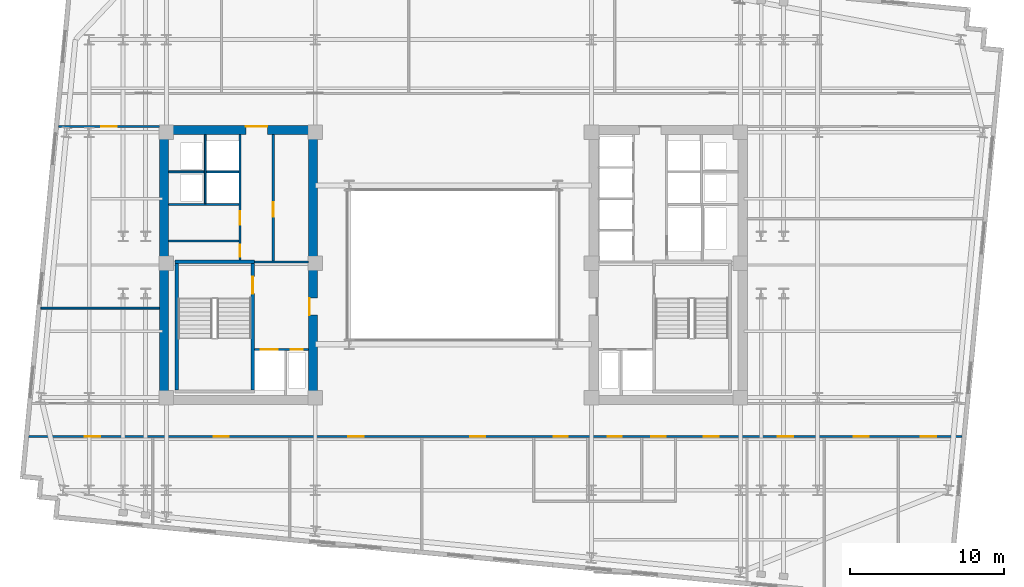
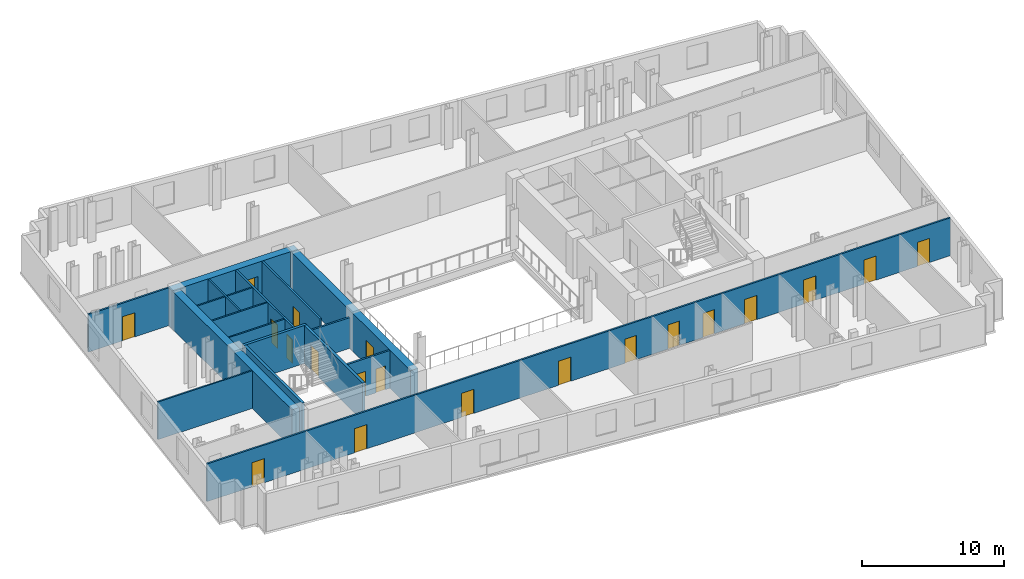
# One storey, part 4 of 9: 20 doors, 18 walls, 20 openings.
"""IFC4 building model written with IfcOpenShell, lengths in metres."""

from ifc_helpers import new_model, si_unit, direction, frame, frame_2d, origin, place, context, subcontext, project, spatial, rectangle, extrude, material, layer, layer_set, type_object, element, fill, save


model = new_model("IFC4")

# Units and contexts
model_context = context("Model", 3, precision=1e-05, world=origin(), true_north=direction((0.0, 1.0)))
body_context = subcontext(model_context, "Body", "Model", "MODEL_VIEW")
ifc_project = project(units=[si_unit("LENGTHUNIT", "METRE"), si_unit("AREAUNIT", "SQUARE_METRE"), si_unit("VOLUMEUNIT", "CUBIC_METRE"), si_unit("PLANEANGLEUNIT", "RADIAN"), si_unit("MASSUNIT", "GRAM", prefix="KILO")], contexts=[model_context])

# Site, building, storey
site_placement = place(None, origin())
site = spatial("IfcSite", under=ifc_project, at=site_placement, CompositionType="ELEMENT")
building_placement = place(site_placement, origin())
building = spatial("IfcBuilding", under=site, at=building_placement, Name="Velakula Bourse", CompositionType="ELEMENT")
storey_placement = place(building_placement, frame((0.0, 0.0, 177.64990234375)))
storey = spatial("IfcBuildingStorey", under=building, at=storey_placement, Name="L48", CompositionType="ELEMENT", Elevation=177.64990234375)

# Wall, opening, door
ifc_material_1 = material(Name="Concrete M50 (fck 50 MPa)", Category="concrete")
ifc_layer_1 = layer(ifc_material_1, 0.2099609375, Name="Concrete M50 (fck 50 MPa)", Category="concrete")
ifc_layer_set_1 = layer_set([ifc_layer_1], Name="Concrete M50 (fck 50 MPa)")
wall_type_1 = type_object("IfcWallType", Name="WL-CORE-210", PredefinedType="SHEAR", material=ifc_layer_set_1)
wall_1_placement = place(storey_placement, frame((-12.9951171875, -8.10009765625, 0.0), z_axis=(0.0, 0.0, 1.0), x_axis=(0.0, 1.0, 0.0)))
wall_1 = element("IfcWall", 1, at=wall_1_placement, inside=storey, type_object=wall_type_1, Name="L48 Core W Stairwell Shear Wall IN", PredefinedType="SHEAR", context=body_context, shape_type="SweptSolid", body=[
    extrude(rectangle(XDim=8.2001953125, YDim=0.2099609375, at=frame_2d((4.10009765625, 0.0))), origin(), (0.0, 0.0, 1.0), 3.27001953125),
])
opening_1_placement = place(wall_1_placement, frame((6.25, 0.0, 0.0)))
opening_1 = element("IfcOpeningElement", 2, at=opening_1_placement, cuts=wall_1, Name="Opening D-STW1", PredefinedType="OPENING", context=body_context, shape_type="SweptSolid", body=[
    extrude(rectangle(XDim=1.10009765625, YDim=2.14990234375, at=frame_2d((0.550048828125, 1.074951171875))), frame((0.0, 0.114990234375, 0.0), z_axis=(0.0, -1.0, 0.0), x_axis=(1.0, 0.0, 0.0)), (0.0, 0.0, 1.0), 0.22998046875),
])
ifc_material_2 = material(Name="Galvanised painted hollow steel fire door", Category="steel")
door_type_1 = type_object("IfcDoorType", Name="DR-FD120-1100x2150", OperationType="NOTDEFINED", PredefinedType="DOOR", material=ifc_material_2)
door_1_placement = place(opening_1_placement, origin())
door_1 = element("IfcDoor", 3, at=door_1_placement, inside=storey, type_object=door_type_1, Name="L48 Stair ST-W1 Fire Door", OperationType="SINGLE_SWING_LEFT", OverallHeight=2.14990234375, OverallWidth=1.10009765625, PredefinedType="DOOR", context=body_context, shape_type="SweptSolid", body=[
    extrude(rectangle(XDim=1.10009765625, YDim=2.14990234375, at=frame_2d((0.550048828125, 1.074951171875))), frame((0.0, 0.02490234375, 0.0), z_axis=(0.0, -1.0, 0.0), x_axis=(1.0, 0.0, 0.0)), (0.0, 0.0, 1.0), 0.050048828125),
])
fill(opening_1, door_1)

# Walls
wall_2_placement = place(storey_placement, frame((-17.925048828125, -8.10009765625, 0.0), z_axis=(0.0, 0.0, 1.0), x_axis=(0.0, 1.0, 0.0)))
element("IfcWall", 4, at=wall_2_placement, inside=storey, type_object=wall_type_1, Name="L48 Core W Stairwell Shear Wall OUT", PredefinedType="SHEAR", context=body_context, shape_type="SweptSolid", body=[
    extrude(rectangle(XDim=8.2001953125, YDim=0.2099609375, at=frame_2d((4.10009765625, 0.0))), origin(), (0.0, 0.0, 1.0), 3.27001953125),
])
wall_3_placement = place(storey_placement, frame((-12.889892578125, 0.205078125, 0.0), z_axis=(0.0, 0.0, 1.0), x_axis=(-1.0, 0.0, 0.0)))
element("IfcWall", 5, at=wall_3_placement, inside=storey, type_object=wall_type_1, Name="L48 Core W Stairwell Shear Wall N", PredefinedType="SHEAR", context=body_context, shape_type="SweptSolid", body=[
    extrude(rectangle(XDim=5.14013671875, YDim=0.2099609375, at=frame_2d((2.570068359375, 0.0))), origin(), (0.0, 0.0, 1.0), 3.27001953125),
])

# Wall, opening, door
ifc_material_3 = material(Name="Concrete M70 (fck 70 MPa)", Category="concrete")
ifc_layer_2 = layer(ifc_material_3, 0.60009765625, Name="Concrete M70 (fck 70 MPa)", Category="concrete")
ifc_layer_set_2 = layer_set([ifc_layer_2], Name="Concrete M70 (fck 70 MPa)")
wall_type_2 = type_object("IfcWallType", Name="WL-CORE-600", PredefinedType="SHEAR", material=ifc_layer_set_2)
wall_4_placement = place(storey_placement, frame((-19.050048828125, 8.75, 0.0), z_axis=(0.0, 0.0, 1.0), x_axis=(1.0, 0.0, 0.0)))
wall_4 = element("IfcWall", 6, at=wall_4_placement, inside=storey, type_object=wall_type_2, Name="L48 Core W Shear Wall N", PredefinedType="SHEAR", context=body_context, shape_type="SweptSolid", body=[
    extrude(rectangle(XDim=10.25, YDim=0.60009765625, at=frame_2d((5.125, 0.0))), origin(), (0.0, 0.0, 1.0), 3.27001953125),
])
opening_2_placement = place(wall_4_placement, frame((5.60009765625, 0.0, 0.0)))
opening_2 = element("IfcOpeningElement", 7, at=opening_2_placement, cuts=wall_4, Name="Opening D-LLW", PredefinedType="OPENING", context=body_context, shape_type="SweptSolid", body=[
    extrude(rectangle(XDim=1.39990234375, YDim=2.050048828125, at=frame_2d((0.699951171875, 1.02490234375))), frame((0.0, 0.31005859375, 0.0), z_axis=(0.0, -1.0, 0.0), x_axis=(1.0, 0.0, 0.0)), (0.0, 0.0, 1.0), 0.6201171875),
])
ifc_material_4 = material(Name="Fire-rated hardwood flush architectural door", Category="wood")
door_type_2 = type_object("IfcDoorType", Name="DR-DBL-FD60-1400", OperationType="DOUBLE_DOOR_SINGLE_SWING", PredefinedType="DOOR", material=ifc_material_4)
door_2_placement = place(opening_2_placement, origin())
door_2 = element("IfcDoor", 8, at=door_2_placement, inside=storey, type_object=door_type_2, Name="L48 Core W Lift Lobby Corridor Double Door", OperationType="DOUBLE_DOOR_SINGLE_SWING", OverallHeight=2.050048828125, OverallWidth=1.39990234375, PredefinedType="DOOR", context=body_context, shape_type="SweptSolid", body=[
    extrude(rectangle(XDim=1.39990234375, YDim=2.050048828125, at=frame_2d((0.699951171875, 1.02490234375))), frame((0.0, 0.2451171875, 0.0), z_axis=(0.0, -1.0, 0.0), x_axis=(1.0, 0.0, 0.0)), (0.0, 0.0, 1.0), 0.050048828125),
])
fill(opening_2, door_2)

# Wall
wall_5_placement = place(storey_placement, frame((-18.75, -8.449951171875, 0.0), z_axis=(0.0, 0.0, 1.0), x_axis=(0.0, 1.0, 0.0)))
element("IfcWall", 9, at=wall_5_placement, inside=storey, type_object=wall_type_2, Name="L48 Core W Shear Wall W", PredefinedType="SHEAR", context=body_context, shape_type="SweptSolid", body=[
    extrude(rectangle(XDim=16.89990234375, YDim=0.60009765625, at=frame_2d((8.449951171875, 0.0))), origin(), (0.0, 0.0, 1.0), 3.27001953125),
])

# Wall, opening, door
wall_6_placement = place(storey_placement, frame((-9.10009765625, -8.449951171875, 0.0), z_axis=(0.0, 0.0, 1.0), x_axis=(0.0, 1.0, 0.0)))
wall_6 = element("IfcWall", 10, at=wall_6_placement, inside=storey, type_object=wall_type_2, Name="L48 Core W Shear Wall E", PredefinedType="SHEAR", context=body_context, shape_type="SweptSolid", body=[
    extrude(rectangle(XDim=16.89990234375, YDim=0.60009765625, at=frame_2d((8.449951171875, 0.0))), origin(), (0.0, 0.0, 1.0), 3.27001953125),
])
opening_3_placement = place(wall_6_placement, frame((5.199951171875, 0.0, 0.0)))
opening_3 = element("IfcOpeningElement", 11, at=opening_3_placement, cuts=wall_6, Name="Opening D-FLW", PredefinedType="OPENING", context=body_context, shape_type="SweptSolid", body=[
    extrude(rectangle(XDim=1.10009765625, YDim=2.080078125, at=frame_2d((0.550048828125, 1.0400390625))), frame((0.0, 0.31005859375, 0.0), z_axis=(0.0, -1.0, 0.0), x_axis=(1.0, 0.0, 0.0)), (0.0, 0.0, 1.0), 0.6201171875),
])
door_type_3 = type_object("IfcDoorType", Name="DR-FD120-1100", OperationType="NOTDEFINED", PredefinedType="DOOR", material=ifc_material_2)
door_3_placement = place(opening_3_placement, origin())
door_3 = element("IfcDoor", 12, at=door_3_placement, inside=storey, type_object=door_type_3, Name="L48 Firefighting Lobby W Corridor Fire Door", OperationType="SINGLE_SWING_LEFT", OverallHeight=2.080078125, OverallWidth=1.10009765625, PredefinedType="DOOR", context=body_context, shape_type="SweptSolid", body=[
    extrude(rectangle(XDim=1.10009765625, YDim=2.080078125, at=frame_2d((0.550048828125, 1.0400390625))), frame((0.0, 0.2548828125, 0.0), z_axis=(0.0, -1.0, 0.0), x_axis=(1.0, 0.0, 0.0)), (0.0, 0.0, 1.0), 0.050048828125),
])
fill(opening_3, door_3)

# Walls
ifc_material_5 = material(Name="Fire-rated double-layer gypsum drywall partition", Category="gypsum")
ifc_layer_3 = layer(ifc_material_5, 0.1201171875, Name="Fire-rated double-layer gypsum drywall partition", Category="gypsum")
ifc_layer_set_3 = layer_set([ifc_layer_3], Name="Fire-rated double-layer gypsum drywall partition")
wall_type_3 = type_object("IfcWallType", Name="WL-PART-120", PredefinedType="STANDARD", material=ifc_layer_set_3)
wall_7_placement = place(storey_placement, frame((-18.449951171875, 3.919921875, 0.0), z_axis=(0.0, 0.0, 1.0), x_axis=(1.0, 0.0, 0.0)))
element("IfcWall", 13, at=wall_7_placement, inside=storey, type_object=wall_type_3, Name="L48 Interior Partition WL-CRW-L48-HI-S", PredefinedType="STANDARD", context=body_context, shape_type="SweptSolid", body=[
    extrude(rectangle(XDim=4.550048828125, YDim=0.1201171875, at=frame_2d((2.27490234375, 0.0))), origin(), (0.0, 0.0, 1.0), 3.25),
])
wall_8_placement = place(storey_placement, frame((-18.449951171875, 6.030029296875, 0.0), z_axis=(0.0, 0.0, 1.0), x_axis=(1.0, 0.0, 0.0)))
element("IfcWall", 14, at=wall_8_placement, inside=storey, type_object=wall_type_3, Name="L48 Interior Partition WL-CRW-L48-RIS-MID", PredefinedType="STANDARD", context=body_context, shape_type="SweptSolid", body=[
    extrude(rectangle(XDim=2.300048828125, YDim=0.1201171875, at=frame_2d((1.14990234375, 0.0))), origin(), (0.0, 0.0, 1.0), 3.25),
])
wall_9_placement = place(storey_placement, frame((-16.074951171875, 3.97998046875, 0.0), z_axis=(0.0, 0.0, 1.0), x_axis=(0.0, 1.0, 0.0)))
element("IfcWall", 15, at=wall_9_placement, inside=storey, type_object=wall_type_3, Name="L48 Interior Partition WL-CRW-L48-RIS-F", PredefinedType="STANDARD", context=body_context, shape_type="SweptSolid", body=[
    extrude(rectangle(XDim=4.469970703125, YDim=0.1201171875, at=frame_2d((2.23486328125, 0.0))), origin(), (0.0, 0.0, 1.0), 3.25),
])
wall_10_placement = place(storey_placement, frame((-16.0, 6.030029296875, 0.0), z_axis=(0.0, 0.0, 1.0), x_axis=(1.0, 0.0, 0.0)))
element("IfcWall", 16, at=wall_10_placement, inside=storey, type_object=wall_type_3, Name="L48 Interior Partition WL-CRW-L48-HI-DIV", PredefinedType="STANDARD", context=body_context, shape_type="SweptSolid", body=[
    extrude(rectangle(XDim=2.10009765625, YDim=0.1201171875, at=frame_2d((1.050048828125, 0.0))), origin(), (0.0, 0.0, 1.0), 3.25),
])
wall_11_placement = place(storey_placement, frame((-18.449951171875, 1.550048828125, 0.0), z_axis=(0.0, 0.0, 1.0), x_axis=(1.0, 0.0, 0.0)))
element("IfcWall", 17, at=wall_11_placement, inside=storey, type_object=wall_type_3, Name="L48 Interior Partition WL-CRW-L48-K1", PredefinedType="STANDARD", context=body_context, shape_type="SweptSolid", body=[
    extrude(rectangle(XDim=4.550048828125, YDim=0.1201171875, at=frame_2d((2.27490234375, 0.0))), origin(), (0.0, 0.0, 1.0), 3.25),
])
wall_12_placement = place(storey_placement, frame((-26.738525390625, -2.800048828125, 0.0), z_axis=(0.0, 0.0, 1.0), x_axis=(1.0, 0.0, 0.0)))
element("IfcWall", 18, at=wall_12_placement, inside=storey, type_object=wall_type_3, Name="L48 Interior Partition WL-INT-L48-W-H", PredefinedType="STANDARD", context=body_context, shape_type="SweptSolid", body=[
    extrude(rectangle(XDim=7.6884765625, YDim=0.1201171875, at=frame_2d((3.84423828125, 0.0))), origin(), (0.0, 0.0, 1.0), 3.25),
])

# Wall, openings, doors
ifc_layer_4 = layer(ifc_material_5, 0.139892578125, Name="Fire-rated double-layer gypsum drywall partition", Category="gypsum")
ifc_layer_set_4 = layer_set([ifc_layer_4], Name="Fire-rated double-layer gypsum drywall partition")
wall_type_4 = type_object("IfcWallType", Name="WL-PART-140", PredefinedType="STANDARD", material=ifc_layer_set_4)
wall_13_placement = place(storey_placement, frame((-27.539794921875, -11.1201171875, 0.0), z_axis=(0.0, 0.0, 1.0), x_axis=(1.0, 0.0, 0.0)))
wall_13 = element("IfcWall", 19, at=wall_13_placement, inside=storey, type_object=wall_type_4, Name="L48 Interior Partition WL-INT-L48-S-CORR", PredefinedType="STANDARD", context=body_context, shape_type="SweptSolid", body=[
    extrude(rectangle(XDim=60.518798828125, YDim=0.139892578125, at=frame_2d((30.25927734375, 0.0))), origin(), (0.0, 0.0, 1.0), 3.25),
])
opening_4_placement = place(wall_13_placement, frame((34.02978515625, 0.0, 0.0)))
opening_4 = element("IfcOpeningElement", 20, at=opening_4_placement, cuts=wall_13, Name="Opening D-WT1", PredefinedType="OPENING", context=body_context, shape_type="SweptSolid", body=[
    extrude(rectangle(XDim=0.919921875, YDim=2.080078125, at=frame_2d((0.4599609375, 1.0400390625))), frame((0.0, 0.079833984375, 0.0), z_axis=(0.0, -1.0, 0.0), x_axis=(1.0, 0.0, 0.0)), (0.0, 0.0, 1.0), 0.159912109375),
])
opening_5_placement = place(wall_13_placement, frame((37.52978515625, 0.0, 0.0)))
opening_5 = element("IfcOpeningElement", 21, at=opening_5_placement, cuts=wall_13, Name="Opening D-WT1", PredefinedType="OPENING", context=body_context, shape_type="SweptSolid", body=[
    extrude(rectangle(XDim=0.919921875, YDim=2.080078125, at=frame_2d((0.4599609375, 1.0400390625))), frame((0.0, 0.079833984375, 0.0), z_axis=(0.0, -1.0, 0.0), x_axis=(1.0, 0.0, 0.0)), (0.0, 0.0, 1.0), 0.159912109375),
])
opening_6_placement = place(wall_13_placement, frame((40.379638671875, 0.0, 0.0)))
opening_6 = element("IfcOpeningElement", 22, at=opening_6_placement, cuts=wall_13, Name="Opening D-WC1", PredefinedType="OPENING", context=body_context, shape_type="SweptSolid", body=[
    extrude(rectangle(XDim=0.919921875, YDim=2.080078125, at=frame_2d((0.4599609375, 1.0400390625))), frame((0.0, 0.079833984375, 0.0), z_axis=(0.0, -1.0, 0.0), x_axis=(1.0, 0.0, 0.0)), (0.0, 0.0, 1.0), 0.159912109375),
])
opening_7_placement = place(wall_13_placement, frame((3.6533203125, 0.0, 0.0)))
opening_7 = element("IfcOpeningElement", 23, at=opening_7_placement, cuts=wall_13, Name="Opening D-OF1", PredefinedType="OPENING", context=body_context, shape_type="SweptSolid", body=[
    extrude(rectangle(XDim=1.0, YDim=2.080078125, at=frame_2d((0.5, 1.0400390625))), frame((0.0, 0.079833984375, 0.0), z_axis=(0.0, -1.0, 0.0), x_axis=(1.0, 0.0, 0.0)), (0.0, 0.0, 1.0), 0.159912109375),
])
opening_8_placement = place(wall_13_placement, frame((11.997802734375, 0.0, 0.0)))
opening_8 = element("IfcOpeningElement", 24, at=opening_8_placement, cuts=wall_13, Name="Opening D-OF1", PredefinedType="OPENING", context=body_context, shape_type="SweptSolid", body=[
    extrude(rectangle(XDim=1.0, YDim=2.080078125, at=frame_2d((0.5, 1.0400390625))), frame((0.0, 0.079833984375, 0.0), z_axis=(0.0, -1.0, 0.0), x_axis=(1.0, 0.0, 0.0)), (0.0, 0.0, 1.0), 0.159912109375),
])
opening_9_placement = place(wall_13_placement, frame((20.7197265625, 0.0, 0.0)))
opening_9 = element("IfcOpeningElement", 25, at=opening_9_placement, cuts=wall_13, Name="Opening D-OF1", PredefinedType="OPENING", context=body_context, shape_type="SweptSolid", body=[
    extrude(rectangle(XDim=1.0, YDim=2.080078125, at=frame_2d((0.5, 1.0400390625))), frame((0.0, 0.079833984375, 0.0), z_axis=(0.0, -1.0, 0.0), x_axis=(1.0, 0.0, 0.0)), (0.0, 0.0, 1.0), 0.159912109375),
])
opening_10_placement = place(wall_13_placement, frame((28.619140625, 0.0, 0.0)))
opening_10 = element("IfcOpeningElement", 26, at=opening_10_placement, cuts=wall_13, Name="Opening D-OF1", PredefinedType="OPENING", context=body_context, shape_type="SweptSolid", body=[
    extrude(rectangle(XDim=1.0, YDim=2.080078125, at=frame_2d((0.5, 1.0400390625))), frame((0.0, 0.079833984375, 0.0), z_axis=(0.0, -1.0, 0.0), x_axis=(1.0, 0.0, 0.0)), (0.0, 0.0, 1.0), 0.159912109375),
])
opening_11_placement = place(wall_13_placement, frame((43.753662109375, 0.0, 0.0)))
opening_11 = element("IfcOpeningElement", 27, at=opening_11_placement, cuts=wall_13, Name="Opening D-OF1", PredefinedType="OPENING", context=body_context, shape_type="SweptSolid", body=[
    extrude(rectangle(XDim=1.0, YDim=2.080078125, at=frame_2d((0.5, 1.0400390625))), frame((0.0, 0.079833984375, 0.0), z_axis=(0.0, -1.0, 0.0), x_axis=(1.0, 0.0, 0.0)), (0.0, 0.0, 1.0), 0.159912109375),
])
opening_12_placement = place(wall_13_placement, frame((48.566650390625, 0.0, 0.0)))
opening_12 = element("IfcOpeningElement", 28, at=opening_12_placement, cuts=wall_13, Name="Opening D-OF1", PredefinedType="OPENING", context=body_context, shape_type="SweptSolid", body=[
    extrude(rectangle(XDim=1.0, YDim=2.080078125, at=frame_2d((0.5, 1.0400390625))), frame((0.0, 0.079833984375, 0.0), z_axis=(0.0, -1.0, 0.0), x_axis=(1.0, 0.0, 0.0)), (0.0, 0.0, 1.0), 0.159912109375),
])
opening_13_placement = place(wall_13_placement, frame((53.47216796875, 0.0, 0.0)))
opening_13 = element("IfcOpeningElement", 29, at=opening_13_placement, cuts=wall_13, Name="Opening D-OF1", PredefinedType="OPENING", context=body_context, shape_type="SweptSolid", body=[
    extrude(rectangle(XDim=1.0, YDim=2.080078125, at=frame_2d((0.5, 1.0400390625))), frame((0.0, 0.079833984375, 0.0), z_axis=(0.0, -1.0, 0.0), x_axis=(1.0, 0.0, 0.0)), (0.0, 0.0, 1.0), 0.159912109375),
])
opening_14_placement = place(wall_13_placement, frame((57.822509765625, 0.0, 0.0)))
opening_14 = element("IfcOpeningElement", 30, at=opening_14_placement, cuts=wall_13, Name="Opening D-OF1", PredefinedType="OPENING", context=body_context, shape_type="SweptSolid", body=[
    extrude(rectangle(XDim=1.0, YDim=2.080078125, at=frame_2d((0.5, 1.0400390625))), frame((0.0, 0.079833984375, 0.0), z_axis=(0.0, -1.0, 0.0), x_axis=(1.0, 0.0, 0.0)), (0.0, 0.0, 1.0), 0.159912109375),
])
door_type_4 = type_object("IfcDoorType", Name="DR-OFF-1000", OperationType="NOTDEFINED", PredefinedType="DOOR", material=ifc_material_4)
door_4_placement = place(opening_7_placement, origin())
door_4 = element("IfcDoor", 31, at=door_4_placement, inside=storey, type_object=door_type_4, Name="L48 Quiet Financial Library Door", OperationType="SINGLE_SWING_LEFT", OverallHeight=2.080078125, OverallWidth=1.0, PredefinedType="DOOR", context=body_context, shape_type="SweptSolid", body=[
    extrude(rectangle(XDim=1.0, YDim=2.080078125, at=frame_2d((0.5, 1.0400390625))), frame((0.0, 0.02490234375, 0.0), z_axis=(0.0, -1.0, 0.0), x_axis=(1.0, 0.0, 0.0)), (0.0, 0.0, 1.0), 0.050048828125),
])
fill(opening_7, door_4)
door_5_placement = place(opening_8_placement, origin())
door_5 = element("IfcDoor", 32, at=door_5_placement, inside=storey, type_object=door_type_4, Name="L48 Company Secretary Office Door", OperationType="SINGLE_SWING_RIGHT", OverallHeight=2.080078125, OverallWidth=1.0, PredefinedType="DOOR", context=body_context, shape_type="SweptSolid", body=[
    extrude(rectangle(XDim=1.0, YDim=2.080078125, at=frame_2d((0.5, 1.0400390625))), frame((0.0, 0.02490234375, 0.0), z_axis=(0.0, -1.0, 0.0), x_axis=(1.0, 0.0, 0.0)), (0.0, 0.0, 1.0), 0.050048828125),
])
fill(opening_8, door_5)
door_6_placement = place(opening_9_placement, origin())
door_6 = element("IfcDoor", 33, at=door_6_placement, inside=storey, type_object=door_type_4, Name="L48 Risk Review Boardroom Door", OperationType="SINGLE_SWING_LEFT", OverallHeight=2.080078125, OverallWidth=1.0, PredefinedType="DOOR", context=body_context, shape_type="SweptSolid", body=[
    extrude(rectangle(XDim=1.0, YDim=2.080078125, at=frame_2d((0.5, 1.0400390625))), frame((0.0, 0.02490234375, 0.0), z_axis=(0.0, -1.0, 0.0), x_axis=(1.0, 0.0, 0.0)), (0.0, 0.0, 1.0), 0.050048828125),
])
fill(opening_9, door_6)
door_7_placement = place(opening_10_placement, origin())
door_7 = element("IfcDoor", 34, at=door_7_placement, inside=storey, type_object=door_type_4, Name="L48 Catering Servery Pantry Door", OperationType="SINGLE_SWING_RIGHT", OverallHeight=2.080078125, OverallWidth=1.0, PredefinedType="DOOR", context=body_context, shape_type="SweptSolid", body=[
    extrude(rectangle(XDim=1.0, YDim=2.080078125, at=frame_2d((0.5, 1.0400390625))), frame((0.0, 0.02490234375, 0.0), z_axis=(0.0, -1.0, 0.0), x_axis=(1.0, 0.0, 0.0)), (0.0, 0.0, 1.0), 0.050048828125),
])
fill(opening_10, door_7)
door_8_placement = place(opening_11_placement, origin())
door_8 = element("IfcDoor", 35, at=door_8_placement, inside=storey, type_object=door_type_4, Name="L48 Derivatives Dealing Workspace Door", OperationType="SINGLE_SWING_LEFT", OverallHeight=2.080078125, OverallWidth=1.0, PredefinedType="DOOR", context=body_context, shape_type="SweptSolid", body=[
    extrude(rectangle(XDim=1.0, YDim=2.080078125, at=frame_2d((0.5, 1.0400390625))), frame((0.0, 0.02490234375, 0.0), z_axis=(0.0, -1.0, 0.0), x_axis=(1.0, 0.0, 0.0)), (0.0, 0.0, 1.0), 0.050048828125),
])
fill(opening_11, door_8)
door_9_placement = place(opening_12_placement, origin())
door_9 = element("IfcDoor", 36, at=door_9_placement, inside=storey, type_object=door_type_4, Name="L48 Broadcast Control Office Door", OperationType="SINGLE_SWING_RIGHT", OverallHeight=2.080078125, OverallWidth=1.0, PredefinedType="DOOR", context=body_context, shape_type="SweptSolid", body=[
    extrude(rectangle(XDim=1.0, YDim=2.080078125, at=frame_2d((0.5, 1.0400390625))), frame((0.0, 0.02490234375, 0.0), z_axis=(0.0, -1.0, 0.0), x_axis=(1.0, 0.0, 0.0)), (0.0, 0.0, 1.0), 0.050048828125),
])
fill(opening_12, door_9)
door_10_placement = place(opening_13_placement, origin())
door_10 = element("IfcDoor", 37, at=door_10_placement, inside=storey, type_object=door_type_4, Name="L48 Quiet Financial Library Door", OperationType="SINGLE_SWING_LEFT", OverallHeight=2.080078125, OverallWidth=1.0, PredefinedType="DOOR", context=body_context, shape_type="SweptSolid", body=[
    extrude(rectangle(XDim=1.0, YDim=2.080078125, at=frame_2d((0.5, 1.0400390625))), frame((0.0, 0.02490234375, 0.0), z_axis=(0.0, -1.0, 0.0), x_axis=(1.0, 0.0, 0.0)), (0.0, 0.0, 1.0), 0.050048828125),
])
fill(opening_13, door_10)
door_11_placement = place(opening_14_placement, origin())
door_11 = element("IfcDoor", 38, at=door_11_placement, inside=storey, type_object=door_type_4, Name="L48 Company Secretary Office Door", OperationType="SINGLE_SWING_RIGHT", OverallHeight=2.080078125, OverallWidth=1.0, PredefinedType="DOOR", context=body_context, shape_type="SweptSolid", body=[
    extrude(rectangle(XDim=1.0, YDim=2.080078125, at=frame_2d((0.5, 1.0400390625))), frame((0.0, 0.02490234375, 0.0), z_axis=(0.0, -1.0, 0.0), x_axis=(1.0, 0.0, 0.0)), (0.0, 0.0, 1.0), 0.050048828125),
])
fill(opening_14, door_11)
door_type_5 = type_object("IfcDoorType", Name="DR-WC-950", OperationType="NOTDEFINED", PredefinedType="DOOR", material=ifc_material_4)
door_12_placement = place(opening_4_placement, origin())
door_12 = element("IfcDoor", 39, at=door_12_placement, inside=storey, type_object=door_type_5, Name="L48 Male Staff Toilet Door", OperationType="SINGLE_SWING_RIGHT", OverallHeight=2.080078125, OverallWidth=0.919921875, PredefinedType="DOOR", context=body_context, shape_type="SweptSolid", body=[
    extrude(rectangle(XDim=0.919921875, YDim=2.080078125, at=frame_2d((0.4599609375, 1.0400390625))), frame((0.0, 0.02490234375, 0.0), z_axis=(0.0, -1.0, 0.0), x_axis=(1.0, 0.0, 0.0)), (0.0, 0.0, 1.0), 0.050048828125),
])
fill(opening_4, door_12)
door_13_placement = place(opening_5_placement, origin())
door_13 = element("IfcDoor", 40, at=door_13_placement, inside=storey, type_object=door_type_5, Name="L48 Female Staff Toilet Door", OperationType="SINGLE_SWING_LEFT", OverallHeight=2.080078125, OverallWidth=0.919921875, PredefinedType="DOOR", context=body_context, shape_type="SweptSolid", body=[
    extrude(rectangle(XDim=0.919921875, YDim=2.080078125, at=frame_2d((0.4599609375, 1.0400390625))), frame((0.0, 0.02490234375, 0.0), z_axis=(0.0, -1.0, 0.0), x_axis=(1.0, 0.0, 0.0)), (0.0, 0.0, 1.0), 0.050048828125),
])
fill(opening_5, door_13)
door_14_placement = place(opening_6_placement, origin())
door_14 = element("IfcDoor", 41, at=door_14_placement, inside=storey, type_object=door_type_5, Name="L48 Accessible WC Door", OperationType="SINGLE_SWING_RIGHT", OverallHeight=2.080078125, OverallWidth=0.919921875, PredefinedType="DOOR", context=body_context, shape_type="SweptSolid", body=[
    extrude(rectangle(XDim=0.919921875, YDim=2.080078125, at=frame_2d((0.4599609375, 1.0400390625))), frame((0.0, 0.02490234375, 0.0), z_axis=(0.0, -1.0, 0.0), x_axis=(1.0, 0.0, 0.0)), (0.0, 0.0, 1.0), 0.050048828125),
])
fill(opening_6, door_14)

# Wall, opening, door
wall_14_placement = place(storey_placement, frame((-25.604248046875, 8.97998046875, 0.0), z_axis=(0.0, 0.0, 1.0), x_axis=(1.0, 0.0, 0.0)))
wall_14 = element("IfcWall", 42, at=wall_14_placement, inside=storey, type_object=wall_type_4, Name="L48 Interior Partition WL-INT-L48-W-NC", PredefinedType="STANDARD", context=body_context, shape_type="SweptSolid", body=[
    extrude(rectangle(XDim=6.55419921875, YDim=0.139892578125, at=frame_2d((3.277099609375, 0.0))), origin(), (0.0, 0.0, 1.0), 3.25),
])
opening_15_placement = place(wall_14_placement, frame((2.777099609375, 0.0, 0.0)))
opening_15 = element("IfcOpeningElement", 43, at=opening_15_placement, cuts=wall_14, Name="Opening D-OF1", PredefinedType="OPENING", context=body_context, shape_type="SweptSolid", body=[
    extrude(rectangle(XDim=1.0, YDim=2.080078125, at=frame_2d((0.5, 1.0400390625))), frame((0.0, 0.079833984375, 0.0), z_axis=(0.0, -1.0, 0.0), x_axis=(1.0, 0.0, 0.0)), (0.0, 0.0, 1.0), 0.159912109375),
])
door_15_placement = place(opening_15_placement, origin())
door_15 = element("IfcDoor", 44, at=door_15_placement, inside=storey, type_object=door_type_4, Name="L48 Broadcast Control Office Door", OperationType="SINGLE_SWING_LEFT", OverallHeight=2.080078125, OverallWidth=1.0, PredefinedType="DOOR", context=body_context, shape_type="SweptSolid", body=[
    extrude(rectangle(XDim=1.0, YDim=2.080078125, at=frame_2d((0.5, 1.0400390625))), frame((0.0, 0.02490234375, 0.0), z_axis=(0.0, -1.0, 0.0), x_axis=(1.0, 0.0, 0.0)), (0.0, 0.0, 1.0), 0.050048828125),
])
fill(opening_15, door_15)

# Wall, openings, doors
ifc_material_6 = material(Name="Autoclaved aerated concrete blockwork masonry", Category="masonry")
ifc_layer_5 = layer(ifc_material_6, 0.14990234375, Name="Autoclaved aerated concrete blockwork masonry", Category="masonry")
ifc_layer_set_5 = layer_set([ifc_layer_5], Name="Autoclaved aerated concrete blockwork masonry")
wall_type_5 = type_object("IfcWallType", Name="WL-SHAFT-150", PredefinedType="STANDARD", material=ifc_layer_set_5)
wall_15_placement = place(storey_placement, frame((-12.89501953125, -5.47509765625, 0.0), z_axis=(0.0, 0.0, 1.0), x_axis=(1.0, 0.0, 0.0)))
wall_15 = element("IfcWall", 45, at=wall_15_placement, inside=storey, type_object=wall_type_5, Name="L48 Interior Partition WL-CRW-L48-FFL-N", PredefinedType="STANDARD", context=body_context, shape_type="SweptSolid", body=[
    extrude(rectangle(XDim=3.4951171875, YDim=0.14990234375, at=frame_2d((1.74755859375, 0.0))), origin(), (0.0, 0.0, 1.0), 3.25),
])
opening_16_placement = place(wall_15_placement, frame((0.419921875, 0.0, 0.0)))
opening_16 = element("IfcOpeningElement", 46, at=opening_16_placement, cuts=wall_15, Name="Opening LD-FFL-1", PredefinedType="OPENING", context=body_context, shape_type="SweptSolid", body=[
    extrude(rectangle(XDim=1.10009765625, YDim=2.14990234375, at=frame_2d((0.550048828125, 1.074951171875))), frame((0.0, 0.0849609375, 0.0), z_axis=(0.0, -1.0, 0.0), x_axis=(1.0, 0.0, 0.0)), (0.0, 0.0, 1.0), 0.169921875),
])
opening_17_placement = place(wall_15_placement, frame((2.3701171875, 0.0, 0.0)))
opening_17 = element("IfcOpeningElement", 47, at=opening_17_placement, cuts=wall_15, Name="Opening D-RS1", PredefinedType="OPENING", context=body_context, shape_type="SweptSolid", body=[
    extrude(rectangle(XDim=0.75, YDim=2.050048828125, at=frame_2d((0.375, 1.02490234375))), frame((0.0, 0.0849609375, 0.0), z_axis=(0.0, -1.0, 0.0), x_axis=(1.0, 0.0, 0.0)), (0.0, 0.0, 1.0), 0.169921875),
])
door_type_6 = type_object("IfcDoorType", Name="DR-RISER-800", OperationType="NOTDEFINED", PredefinedType="DOOR", material=ifc_material_2)
door_16_placement = place(opening_17_placement, origin())
door_16 = element("IfcDoor", 48, at=door_16_placement, inside=storey, type_object=door_type_6, Name="L48 Fire Riser Access Door", OperationType="SINGLE_SWING_LEFT", OverallHeight=2.050048828125, OverallWidth=0.75, PredefinedType="DOOR", context=body_context, shape_type="SweptSolid", body=[
    extrude(rectangle(XDim=0.75, YDim=2.050048828125, at=frame_2d((0.375, 1.02490234375))), frame((0.0, 0.02490234375, 0.0), z_axis=(0.0, -1.0, 0.0), x_axis=(1.0, 0.0, 0.0)), (0.0, 0.0, 1.0), 0.050048828125),
])
fill(opening_17, door_16)
ifc_material_7 = material(Name="Brushed grade 316 stainless steel", Category="steel")
door_type_7 = type_object("IfcDoorType", Name="DR-SLIDE-FFL-1100", OperationType="DOUBLE_DOOR_SLIDING", PredefinedType="DOOR", material=ifc_material_7)
door_17_placement = place(opening_16_placement, origin())
door_17 = element("IfcDoor", 49, at=door_17_placement, inside=storey, type_object=door_type_7, Name="L48 Firefighting Lift FFL-1 Sliding Landing Door", OperationType="DOUBLE_DOOR_SLIDING", OverallHeight=2.14990234375, OverallWidth=1.10009765625, PredefinedType="DOOR", context=body_context, shape_type="SweptSolid", body=[
    extrude(rectangle(XDim=1.10009765625, YDim=2.14990234375, at=frame_2d((0.550048828125, 1.074951171875))), frame((0.0, 0.02490234375, 0.0), z_axis=(0.0, -1.0, 0.0), x_axis=(1.0, 0.0, 0.0)), (0.0, 0.0, 1.0), 0.050048828125),
])
fill(opening_16, door_17)

# Wall
wall_16_placement = place(storey_placement, frame((-12.889892578125, 0.18994140625, 0.0), z_axis=(0.0, 0.0, 1.0), x_axis=(1.0, 0.0, 0.0)))
element("IfcWall", 50, at=wall_16_placement, inside=storey, type_object=wall_type_5, Name="L48 Interior Partition WL-CRW-L48-FF-TOP", PredefinedType="STANDARD", context=body_context, shape_type="SweptSolid", body=[
    extrude(rectangle(XDim=3.489990234375, YDim=0.14990234375, at=frame_2d((1.7451171875, 0.0))), origin(), (0.0, 0.0, 1.0), 2.64501953125),
])

# Wall, opening, door
wall_17_placement = place(storey_placement, frame((-11.675048828125, 0.27001953125, 0.0), z_axis=(0.0, 0.0, 1.0), x_axis=(0.0, 1.0, 0.0)))
wall_17 = element("IfcWall", 51, at=wall_17_placement, inside=storey, type_object=wall_type_5, Name="L48 Interior Partition WL-CRW-L48-BANK-F", PredefinedType="STANDARD", context=body_context, shape_type="SweptSolid", body=[
    extrude(rectangle(XDim=8.179931640625, YDim=0.14990234375, at=frame_2d((4.08984375, 0.0))), origin(), (0.0, 0.0, 1.0), 3.25),
])
opening_18_placement = place(wall_17_placement, frame((2.85009765625, 0.0, 0.0)))
opening_18 = element("IfcOpeningElement", 52, at=opening_18_placement, cuts=wall_17, Name="Opening D-RC4", PredefinedType="OPENING", context=body_context, shape_type="SweptSolid", body=[
    extrude(rectangle(XDim=0.949951171875, YDim=2.050048828125, at=frame_2d((0.47509765625, 1.02490234375))), frame((0.0, 0.0849609375, 0.0), z_axis=(0.0, -1.0, 0.0), x_axis=(1.0, 0.0, 0.0)), (0.0, 0.0, 1.0), 0.169921875),
])
door_type_8 = type_object("IfcDoorType", Name="DR-FD60-950x2050", OperationType="NOTDEFINED", PredefinedType="DOOR", material=ifc_material_4)
door_18_placement = place(opening_18_placement, origin())
door_18 = element("IfcDoor", 53, at=door_18_placement, inside=storey, type_object=door_type_8, Name="L48 Reclaimed Multi-Bay Archive Room Door", OperationType="SINGLE_SWING_RIGHT", OverallHeight=2.050048828125, OverallWidth=0.949951171875, PredefinedType="DOOR", context=body_context, shape_type="SweptSolid", body=[
    extrude(rectangle(XDim=0.949951171875, YDim=2.050048828125, at=frame_2d((0.47509765625, 1.02490234375))), frame((0.0, 0.02490234375, 0.0), z_axis=(0.0, -1.0, 0.0), x_axis=(1.0, 0.0, 0.0)), (0.0, 0.0, 1.0), 0.050048828125),
])
fill(opening_18, door_18)

# Wall, openings, doors
wall_18_placement = place(storey_placement, frame((-13.824951171875, 0.27001953125, 0.0), z_axis=(0.0, 0.0, 1.0), x_axis=(0.0, 1.0, 0.0)))
wall_18 = element("IfcWall", 54, at=wall_18_placement, inside=storey, type_object=wall_type_5, Name="L48 Interior Partition WL-CRW-L48-OUT-F", PredefinedType="STANDARD", context=body_context, shape_type="SweptSolid", body=[
    extrude(rectangle(XDim=8.179931640625, YDim=0.14990234375, at=frame_2d((4.08984375, 0.0))), origin(), (0.0, 0.0, 1.0), 3.25),
])
opening_19_placement = place(wall_18_placement, frame((0.25, 0.0, 0.0)))
opening_19 = element("IfcOpeningElement", 55, at=opening_19_placement, cuts=wall_18, Name="Opening D-CS1", PredefinedType="OPENING", context=body_context, shape_type="SweptSolid", body=[
    extrude(rectangle(XDim=0.800048828125, YDim=2.050048828125, at=frame_2d((0.39990234375, 1.02490234375))), frame((0.0, 0.0849609375, 0.0), z_axis=(0.0, -1.0, 0.0), x_axis=(1.0, 0.0, 0.0)), (0.0, 0.0, 1.0), 0.169921875),
])
opening_20_placement = place(wall_18_placement, frame((2.35009765625, 0.0, 0.0)))
opening_20 = element("IfcOpeningElement", 56, at=opening_20_placement, cuts=wall_18, Name="Opening D-CW1", PredefinedType="OPENING", context=body_context, shape_type="SweptSolid", body=[
    extrude(rectangle(XDim=0.85009765625, YDim=2.050048828125, at=frame_2d((0.425048828125, 1.02490234375))), frame((0.0, 0.0849609375, 0.0), z_axis=(0.0, -1.0, 0.0), x_axis=(1.0, 0.0, 0.0)), (0.0, 0.0, 1.0), 0.169921875),
])
door_type_9 = type_object("IfcDoorType", Name="DR-INT-850", OperationType="NOTDEFINED", PredefinedType="DOOR", material=ifc_material_4)
door_19_placement = place(opening_20_placement, origin())
door_19 = element("IfcDoor", 57, at=door_19_placement, inside=storey, type_object=door_type_9, Name="L48 Core Janitor Closet Door", OperationType="SINGLE_SWING_RIGHT", OverallHeight=2.050048828125, OverallWidth=0.85009765625, PredefinedType="DOOR", context=body_context, shape_type="SweptSolid", body=[
    extrude(rectangle(XDim=0.85009765625, YDim=2.050048828125, at=frame_2d((0.425048828125, 1.02490234375))), frame((0.0, 0.02490234375, 0.0), z_axis=(0.0, -1.0, 0.0), x_axis=(1.0, 0.0, 0.0)), (0.0, 0.0, 1.0), 0.050048828125),
])
fill(opening_20, door_19)
door_type_10 = type_object("IfcDoorType", Name="DR-RISER-800x2050", OperationType="NOTDEFINED", PredefinedType="DOOR", material=ifc_material_2)
door_20_placement = place(opening_19_placement, origin())
door_20 = element("IfcDoor", 58, at=door_20_placement, inside=storey, type_object=door_type_10, Name="L48 Core Cleaner Store Door", OperationType="SINGLE_SWING_LEFT", OverallHeight=2.050048828125, OverallWidth=0.800048828125, PredefinedType="DOOR", context=body_context, shape_type="SweptSolid", body=[
    extrude(rectangle(XDim=0.800048828125, YDim=2.050048828125, at=frame_2d((0.39990234375, 1.02490234375))), frame((0.0, 0.02490234375, 0.0), z_axis=(0.0, -1.0, 0.0), x_axis=(1.0, 0.0, 0.0)), (0.0, 0.0, 1.0), 0.050048828125),
])
fill(opening_19, door_20)

save(model, "model.ifc")
